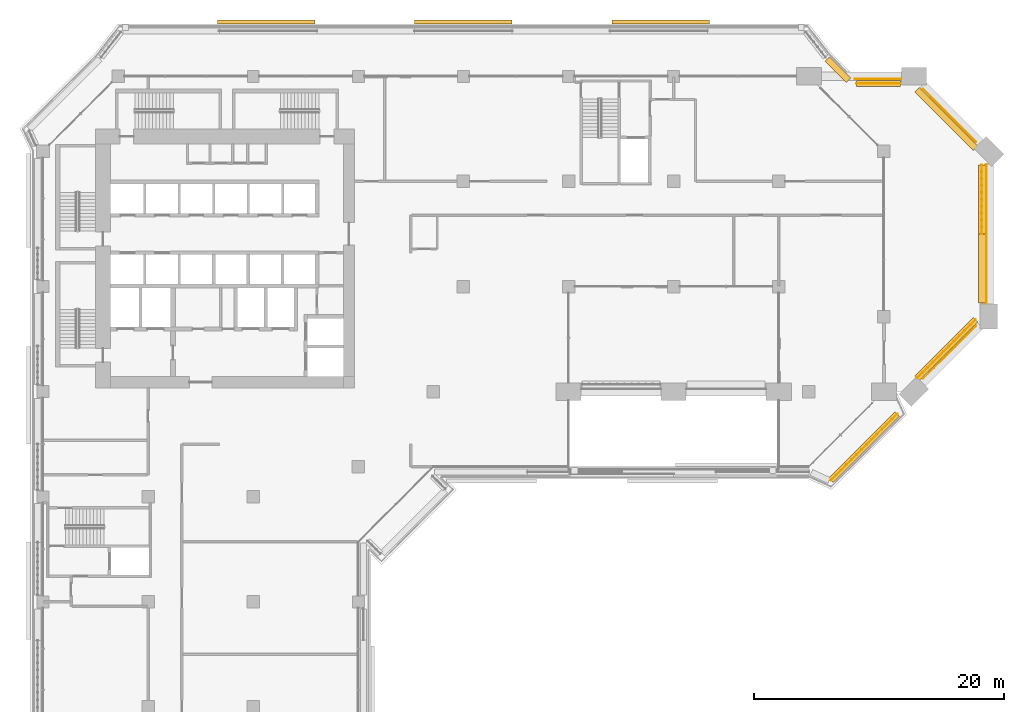
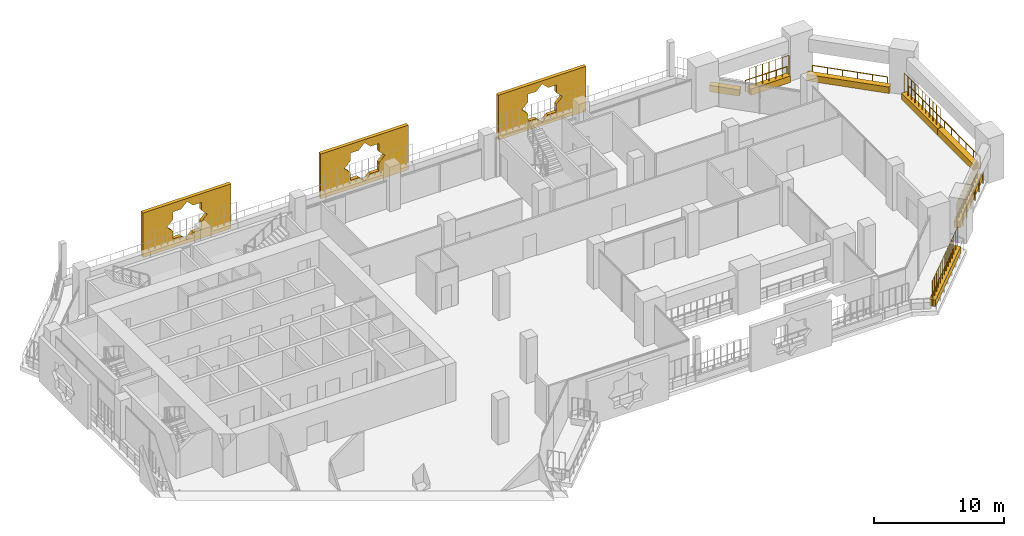
# One storey, part 23 of 23: 10 coverings, 8 railings.
"""IFC4 building model written with IfcOpenShell, lengths in metres."""

from ifc_helpers import new_model, si_unit, direction, frame, origin, origin_2d, place, context, subcontext, project, spatial, polyline, rectangle, circle, outline, extrude, material, material_profile, profile_set, type_object, element, save


model = new_model("IFC4")

# Units and contexts
model_context = context("Model", 3, precision=1e-05, world=origin(), true_north=direction((0.0, 1.0)))
body_context = subcontext(model_context, "Body", "Model", "MODEL_VIEW")
ifc_project = project(units=[si_unit("LENGTHUNIT", "METRE"), si_unit("AREAUNIT", "SQUARE_METRE"), si_unit("VOLUMEUNIT", "CUBIC_METRE"), si_unit("PLANEANGLEUNIT", "RADIAN"), si_unit("MASSUNIT", "GRAM", prefix="KILO")], contexts=[model_context])

# Site, building, storey
site_placement = place(None, origin())
site = spatial("IfcSite", under=ifc_project, at=site_placement, CompositionType="ELEMENT")
building_placement = place(site_placement, origin())
building = spatial("IfcBuilding", under=site, at=building_placement, Name="Kawkab Arch Medical Tower", CompositionType="ELEMENT")
storey_placement = place(building_placement, frame((0.0, 0.0, 158.39990234375)))
storey = spatial("IfcBuildingStorey", under=building, at=storey_placement, Name="L36", CompositionType="ELEMENT", Elevation=158.39990234375)

# Railings
ifc_material_1 = material(Name="Bronze anodised aluminium guard", Category="aluminium")
railing_type_1 = type_object("IfcRailingType", Name="Loggia and terrace guard 1100", PredefinedType="GUARDRAIL", material=ifc_material_1)
railing_1_placement = place(storey_placement, frame((70.346923828125, -24.169921875, 0.0)))
element("IfcRailing", 1, at=railing_1_placement, inside=storey, type_object=railing_type_1, Name="Guard L36.TER-01.1.2", PredefinedType="GUARDRAIL", context=body_context, shape_type="SweptSolid", body=[
    extrude(circle(Radius=0.02392578125, at=origin_2d()), frame((0.0, 0.0, 1.076171875), z_axis=(0.707127220457, 0.707086341325, 0.0), x_axis=(-0.707086341325, 0.707127220457, 0.0)), (0.0, 0.0, 1.0), 5.97216796875),
    extrude(circle(Radius=0.02099609375, at=origin_2d()), origin(), (0.0, 0.0, 1.0), 1.052001953125),
    extrude(circle(Radius=0.02099609375, at=origin_2d()), frame((0.8447265625, 0.844482421875, 0.0)), (0.0, 0.0, 1.0), 1.052001953125),
    extrude(circle(Radius=0.02099609375, at=origin_2d()), frame((1.689208984375, 1.689208984375, 0.0)), (0.0, 0.0, 1.0), 1.052001953125),
    extrude(circle(Radius=0.02099609375, at=origin_2d()), frame((2.533935546875, 2.53369140625, 0.0)), (0.0, 0.0, 1.0), 1.052001953125),
    extrude(circle(Radius=0.02099609375, at=origin_2d()), frame((3.37841796875, 3.37841796875, 0.0)), (0.0, 0.0, 1.0), 1.052001953125),
    extrude(circle(Radius=0.02099609375, at=origin_2d()), frame((4.22314453125, 4.222900390625, 0.0)), (0.0, 0.0, 1.0), 1.052001953125),
])
railing_2_placement = place(storey_placement, frame((75.39990234375, -18.169921875, 0.0)))
element("IfcRailing", 2, at=railing_2_placement, inside=storey, type_object=railing_type_1, Name="Guard L36.TER-01.1.3", PredefinedType="GUARDRAIL", context=body_context, shape_type="SweptSolid", body=[
    extrude(circle(Radius=0.02392578125, at=origin_2d()), frame((0.0, 0.0, 1.076171875), z_axis=(0.0, 1.0, 0.0), x_axis=(-1.0, 0.0, 0.0)), (0.0, 0.0, 1.0), 11.139892578125),
    extrude(circle(Radius=0.02099609375, at=origin_2d()), origin(), (0.0, 0.0, 1.0), 1.052001953125),
    extrude(circle(Radius=0.02099609375, at=origin_2d()), frame((0.0, 1.114013671875, 0.0)), (0.0, 0.0, 1.0), 1.052001953125),
    extrude(circle(Radius=0.02099609375, at=origin_2d()), frame((0.0, 2.22802734375, 0.0)), (0.0, 0.0, 1.0), 1.052001953125),
    extrude(circle(Radius=0.02099609375, at=origin_2d()), frame((0.0, 3.342041015625, 0.0)), (0.0, 0.0, 1.0), 1.052001953125),
    extrude(circle(Radius=0.02099609375, at=origin_2d()), frame((0.0, 4.4560546875, 0.0)), (0.0, 0.0, 1.0), 1.052001953125),
    extrude(circle(Radius=0.02099609375, at=origin_2d()), frame((0.0, 5.56982421875, 0.0)), (0.0, 0.0, 1.0), 1.052001953125),
    extrude(circle(Radius=0.02099609375, at=origin_2d()), frame((0.0, 6.683837890625, 0.0)), (0.0, 0.0, 1.0), 1.052001953125),
    extrude(circle(Radius=0.02099609375, at=origin_2d()), frame((0.0, 7.7978515625, 0.0)), (0.0, 0.0, 1.0), 1.052001953125),
    extrude(circle(Radius=0.02099609375, at=origin_2d()), frame((0.0, 8.911865234375, 0.0)), (0.0, 0.0, 1.0), 1.052001953125),
    extrude(circle(Radius=0.02099609375, at=origin_2d()), frame((0.0, 10.02587890625, 0.0)), (0.0, 0.0, 1.0), 1.052001953125),
    extrude(circle(Radius=0.02099609375, at=origin_2d()), frame((0.0, 11.139892578125, 0.0)), (0.0, 0.0, 1.0), 1.052001953125),
])
railing_3_placement = place(storey_placement, frame((74.570068359375, -5.2529296875, 0.0)))
element("IfcRailing", 3, at=railing_3_placement, inside=storey, type_object=railing_type_1, Name="Guard L36.TER-01.1.4", PredefinedType="GUARDRAIL", context=body_context, shape_type="SweptSolid", body=[
    extrude(circle(Radius=0.02392578125, at=origin_2d()), frame((0.0, 0.0, 1.076171875), z_axis=(-0.707127220457, 0.707086341325, 0.0), x_axis=(-0.707086341325, -0.707127220457, 0.0)), (0.0, 0.0, 1.0), 5.97216796875),
    extrude(circle(Radius=0.02099609375, at=origin_2d()), origin(), (0.0, 0.0, 1.0), 1.052001953125),
    extrude(circle(Radius=0.02099609375, at=origin_2d()), frame((-0.8447265625, 0.844482421875, 0.0)), (0.0, 0.0, 1.0), 1.052001953125),
    extrude(circle(Radius=0.02099609375, at=origin_2d()), frame((-1.689208984375, 1.689208984375, 0.0)), (0.0, 0.0, 1.0), 1.052001953125),
    extrude(circle(Radius=0.02099609375, at=origin_2d()), frame((-2.533935546875, 2.53369140625, 0.0)), (0.0, 0.0, 1.0), 1.052001953125),
    extrude(circle(Radius=0.02099609375, at=origin_2d()), frame((-3.37841796875, 3.37841796875, 0.0)), (0.0, 0.0, 1.0), 1.052001953125),
    extrude(circle(Radius=0.02099609375, at=origin_2d()), frame((-4.22314453125, 4.222900390625, 0.0)), (0.0, 0.0, 1.0), 1.052001953125),
])
railing_4_placement = place(storey_placement, frame((68.570068359375, -0.199951171875, 0.0)))
element("IfcRailing", 4, at=railing_4_placement, inside=storey, type_object=railing_type_1, Name="Guard L36.TER-01.1.5", PredefinedType="GUARDRAIL", context=body_context, shape_type="SweptSolid", body=[
    extrude(circle(Radius=0.02392578125, at=origin_2d()), frame((0.0, 0.0, 1.076171875), z_axis=(-1.0, 0.0, 0.0), x_axis=(0.0, -1.0, 0.0)), (0.0, 0.0, 1.0), 3.6640625),
    extrude(circle(Radius=0.02099609375, at=origin_2d()), origin(), (0.0, 0.0, 1.0), 1.052001953125),
    extrude(circle(Radius=0.02099609375, at=origin_2d()), frame((-0.916015625, 0.0, 0.0)), (0.0, 0.0, 1.0), 1.052001953125),
    extrude(circle(Radius=0.02099609375, at=origin_2d()), frame((-1.83203125, 0.0, 0.0)), (0.0, 0.0, 1.0), 1.052001953125),
    extrude(circle(Radius=0.02099609375, at=origin_2d()), frame((-2.748046875, 0.0, 0.0)), (0.0, 0.0, 1.0), 1.052001953125),
    extrude(circle(Radius=0.02099609375, at=origin_2d()), frame((-3.6640625, 0.0, 0.0)), (0.0, 0.0, 1.0), 1.052001953125),
])

# Coverings
ifc_material_2 = material(Name="Bronze anodised aluminium mashrabiya panel, eight-point star pattern", Category="aluminium")
ifc_material_profile_1 = material_profile(ifc_material_2, outline(polyline([(-3.89990234375, -2.10009765625), (3.89990234375, -2.10009765625), (3.89990234375, 2.10009765625), (-3.89990234375, 2.10009765625), (-3.89990234375, -2.10009765625)]), holes=[polyline([(1.800048828125, 0.0), (1.272705078125, 0.527099609375), (1.272705078125, 1.272705078125), (0.527099609375, 1.272705078125), (0.0, 1.800048828125), (-0.527099609375, 1.272705078125), (-1.272705078125, 1.272705078125), (-1.272705078125, 0.527099609375), (-1.800048828125, 0.0), (-1.272705078125, -0.527099609375), (-1.272705078125, -1.272705078125), (-0.527099609375, -1.272705078125), (0.0, -1.800048828125), (0.527099609375, -1.272705078125), (1.272705078125, -1.272705078125), (1.272705078125, -0.527099609375), (1.800048828125, 0.0)])]), Name="Mashrabiya panel 7800x4200")
ifc_profile_set_1 = profile_set([ifc_material_profile_1], Name="Bronze anodised aluminium mashrabiya panel, eight-point star pattern")
covering_type_1 = type_object("IfcCoveringType", Name="Mashrabiya panel 7800 x 4200", PredefinedType="USERDEFINED", material=ifc_profile_set_1)
for number, where, z_axis, x_axis, name in (
    (5, (17.831298828125, 4.199951171875, 1.7001953125), (0.0, 1.0, 0.0), (-1.0, 0.0, 0.0), "Mashrabiya panel L36.LOG-01-02.8"),
    (6, (33.60009765625, 4.199951171875, 1.7001953125), (0.0, 1.0, 0.0), (-1.0, 0.0, 0.0), "Mashrabiya panel L36.LOG-01-02.9"),
    (7, (49.36865234375, 4.199951171875, 1.7001953125), (0.0, 1.0, 0.0), (-1.0, 0.0, 0.0), "Mashrabiya panel L36.LOG-01-02.10"),
):
    element("IfcCovering", number, at=place(storey_placement, frame(where, z_axis=z_axis, x_axis=x_axis)), inside=storey, type_object=covering_type_1, Name=name, ObjectType="SCREEN", PredefinedType="USERDEFINED", context=body_context, shape_type="SweptSolid", body=[
        extrude(outline(polyline([(-3.89990234375, -2.10009765625), (3.89990234375, -2.10009765625), (3.89990234375, 2.10009765625), (-3.89990234375, 2.10009765625), (-3.89990234375, -2.10009765625)]), holes=[polyline([(1.800048828125, 0.0), (1.272705078125, 0.527099609375), (1.272705078125, 1.272705078125), (0.527099609375, 1.272705078125), (0.0, 1.800048828125), (-0.527099609375, 1.272705078125), (-1.272705078125, 1.272705078125), (-1.272705078125, 0.527099609375), (-1.800048828125, 0.0), (-1.272705078125, -0.527099609375), (-1.272705078125, -1.272705078125), (-0.527099609375, -1.272705078125), (0.0, -1.800048828125), (0.527099609375, -1.272705078125), (1.272705078125, -1.272705078125), (1.272705078125, -0.527099609375), (1.800048828125, 0.0)])]), origin(), (0.0, 0.0, 1.0), 0.300048828125),
    ])
ifc_material_3 = material(Name="Planting soil in a precast trough", Category="concrete")
ifc_material_profile_2 = material_profile(ifc_material_3, rectangle(XDim=0.5, YDim=0.60009765625, at=origin_2d()), Name="Trough 500x600")
ifc_profile_set_2 = profile_set([ifc_material_profile_2], Name="Planting soil in a precast trough")
covering_type_2 = type_object("IfcCoveringType", Name="Planter trough 500 x 600", PredefinedType="USERDEFINED", material=ifc_profile_set_2)
covering_1_placement = place(storey_placement, frame((69.85595703125, -24.1201171875, 0.300048828125), z_axis=(0.707328897326, 0.706884595254, 0.0), x_axis=(-0.706884595254, 0.707328897326, 0.0)))
element("IfcCovering", 8, at=covering_1_placement, inside=storey, type_object=covering_type_2, Name="Planter L36.TER-01-01.1", ObjectType="PLANTER", PredefinedType="USERDEFINED", context=body_context, shape_type="SweptSolid", body=[
    extrude(rectangle(XDim=0.5, YDim=0.60009765625, at=origin_2d()), origin(), (0.0, 0.0, 1.0), 6.593994140625),
])
covering_2_placement = place(storey_placement, frame((75.02001953125, -18.1201171875, 0.300048828125), z_axis=(0.0, 1.0, 0.0), x_axis=(-1.0, 0.0, 0.0)))
element("IfcCovering", 9, at=covering_2_placement, inside=storey, type_object=covering_type_2, Name="Planter L36.TER-01-01.2", ObjectType="PLANTER", PredefinedType="USERDEFINED", context=body_context, shape_type="SweptSolid", body=[
    extrude(rectangle(XDim=0.5, YDim=0.60009765625, at=origin_2d()), origin(), (0.0, 0.0, 1.0), 5.51806640625),
])
covering_3_placement = place(storey_placement, frame((75.02001953125, -12.60205078125, 0.300048828125), z_axis=(0.0, 1.0, 0.0), x_axis=(-1.0, 0.0, 0.0)))
element("IfcCovering", 10, at=covering_3_placement, inside=storey, type_object=covering_type_2, Name="Planter L36.TER-01-01.3", ObjectType="PLANTER", PredefinedType="USERDEFINED", context=body_context, shape_type="SweptSolid", body=[
    extrude(rectangle(XDim=0.5, YDim=0.60009765625, at=origin_2d()), origin(), (0.0, 0.0, 1.0), 5.52197265625),
])
covering_4_placement = place(storey_placement, frame((74.52001953125, -5.743896484375, 0.300048828125), z_axis=(-0.70690310808, 0.707310395645, 0.0), x_axis=(-0.707310395645, -0.70690310808, 0.0)))
element("IfcCovering", 11, at=covering_4_placement, inside=storey, type_object=covering_type_2, Name="Planter L36.TER-01-01.4", ObjectType="PLANTER", PredefinedType="USERDEFINED", context=body_context, shape_type="SweptSolid", body=[
    extrude(rectangle(XDim=0.5, YDim=0.60009765625, at=origin_2d()), origin(), (0.0, 0.0, 1.0), 6.59375),
])
covering_5_placement = place(storey_placement, frame((68.52001953125, -0.580078125, 0.300048828125), z_axis=(-1.0, 0.0, 0.0), x_axis=(0.0, -1.0, 0.0)))
element("IfcCovering", 12, at=covering_5_placement, inside=storey, type_object=covering_type_2, Name="Planter L36.TER-01-01.5", ObjectType="PLANTER", PredefinedType="USERDEFINED", context=body_context, shape_type="SweptSolid", body=[
    extrude(rectangle(XDim=0.5, YDim=0.60009765625, at=origin_2d()), origin(), (0.0, 0.0, 1.0), 3.513916015625),
])
covering_6_placement = place(storey_placement, frame((68.27294921875, -26.98291015625, 0.300048828125), z_axis=(-0.707106781187, -0.707106781187, 0.0), x_axis=(0.707106781187, -0.707106781187, 0.0)))
element("IfcCovering", 13, at=covering_6_placement, inside=storey, type_object=covering_type_2, Name="Planter L36.LOG-01-02.1", ObjectType="PLANTER", PredefinedType="USERDEFINED", context=body_context, shape_type="SweptSolid", body=[
    extrude(rectangle(XDim=0.5, YDim=0.60009765625, at=origin_2d()), origin(), (0.0, 0.0, 1.0), 7.481201171875),
])
covering_7_placement = place(storey_placement, frame((62.673095703125, 1.383056640625, 0.300048828125), z_axis=(0.70705579465, -0.707157764047, 0.0), x_axis=(0.707157764047, 0.70705579465, 0.0)))
element("IfcCovering", 14, at=covering_7_placement, inside=storey, type_object=covering_type_2, Name="Planter L36.LOG-01-02.42", ObjectType="PLANTER", PredefinedType="USERDEFINED", context=body_context, shape_type="SweptSolid", body=[
    extrude(rectangle(XDim=0.5, YDim=0.60009765625, at=origin_2d()), origin(), (0.0, 0.0, 1.0), 2.394287109375),
])

# Railings
ifc_material_4 = material(Name="Bronze anodised aluminium trellis for climbing plants", Category="aluminium")
railing_type_2 = type_object("IfcRailingType", Name="Planting trellis 2400", PredefinedType="USERDEFINED", material=ifc_material_4)
railing_5_placement = place(storey_placement, frame((69.85595703125, -24.1201171875, 0.0)))
element("IfcRailing", 15, at=railing_5_placement, inside=storey, type_object=railing_type_2, Name="Planting trellis L36.TER-01-01.1", ObjectType="TRELLIS", PredefinedType="USERDEFINED", context=body_context, shape_type="SweptSolid", body=[
    extrude(circle(Radius=0.01513671875, at=origin_2d()), frame((0.0, 0.0, 2.384765625), z_axis=(0.707328897326, 0.706884595254, 0.0), x_axis=(-0.706884595254, 0.707328897326, 0.0)), (0.0, 0.0, 1.0), 6.593994140625),
    extrude(circle(Radius=0.030029296875, at=origin_2d()), origin(), (0.0, 0.0, 1.0), 2.369873046875),
    extrude(circle(Radius=0.030029296875, at=origin_2d()), frame((0.424072265625, 0.423828125, 0.0)), (0.0, 0.0, 1.0), 2.369873046875),
    extrude(circle(Radius=0.030029296875, at=origin_2d()), frame((0.847900390625, 0.847412109375, 0.0)), (0.0, 0.0, 1.0), 2.369873046875),
    extrude(circle(Radius=0.030029296875, at=origin_2d()), frame((1.27197265625, 1.271240234375, 0.0)), (0.0, 0.0, 1.0), 2.369873046875),
    extrude(circle(Radius=0.030029296875, at=origin_2d()), frame((1.696044921875, 1.695068359375, 0.0)), (0.0, 0.0, 1.0), 2.369873046875),
    extrude(circle(Radius=0.030029296875, at=origin_2d()), frame((2.1201171875, 2.11865234375, 0.0)), (0.0, 0.0, 1.0), 2.369873046875),
    extrude(circle(Radius=0.030029296875, at=origin_2d()), frame((2.5439453125, 2.54248046875, 0.0)), (0.0, 0.0, 1.0), 2.369873046875),
    extrude(circle(Radius=0.030029296875, at=origin_2d()), frame((2.968017578125, 2.966064453125, 0.0)), (0.0, 0.0, 1.0), 2.369873046875),
    extrude(circle(Radius=0.030029296875, at=origin_2d()), frame((3.39208984375, 3.389892578125, 0.0)), (0.0, 0.0, 1.0), 2.369873046875),
    extrude(circle(Radius=0.030029296875, at=origin_2d()), frame((3.816162109375, 3.813720703125, 0.0)), (0.0, 0.0, 1.0), 2.369873046875),
    extrude(circle(Radius=0.030029296875, at=origin_2d()), frame((4.239990234375, 4.2373046875, 0.0)), (0.0, 0.0, 1.0), 2.369873046875),
    extrude(circle(Radius=0.030029296875, at=origin_2d()), frame((4.6640625, 4.6611328125, 0.0)), (0.0, 0.0, 1.0), 2.369873046875),
])
railing_6_placement = place(storey_placement, frame((75.02001953125, -12.60205078125, 0.0)))
element("IfcRailing", 16, at=railing_6_placement, inside=storey, type_object=railing_type_2, Name="Planting trellis L36.TER-01-01.3", ObjectType="TRELLIS", PredefinedType="USERDEFINED", context=body_context, shape_type="SweptSolid", body=[
    extrude(circle(Radius=0.01513671875, at=origin_2d()), frame((0.0, 0.0, 2.384765625), z_axis=(0.0, 1.0, 0.0), x_axis=(-1.0, 0.0, 0.0)), (0.0, 0.0, 1.0), 5.52197265625),
    extrude(circle(Radius=0.030029296875, at=origin_2d()), origin(), (0.0, 0.0, 1.0), 2.369873046875),
    extrude(circle(Radius=0.030029296875, at=origin_2d()), frame((0.0, 0.55224609375, 0.0)), (0.0, 0.0, 1.0), 2.369873046875),
    extrude(circle(Radius=0.030029296875, at=origin_2d()), frame((0.0, 1.1044921875, 0.0)), (0.0, 0.0, 1.0), 2.369873046875),
    extrude(circle(Radius=0.030029296875, at=origin_2d()), frame((0.0, 1.656494140625, 0.0)), (0.0, 0.0, 1.0), 2.369873046875),
    extrude(circle(Radius=0.030029296875, at=origin_2d()), frame((0.0, 2.208740234375, 0.0)), (0.0, 0.0, 1.0), 2.369873046875),
    extrude(circle(Radius=0.030029296875, at=origin_2d()), frame((0.0, 2.760986328125, 0.0)), (0.0, 0.0, 1.0), 2.369873046875),
    extrude(circle(Radius=0.030029296875, at=origin_2d()), frame((0.0, 3.313232421875, 0.0)), (0.0, 0.0, 1.0), 2.369873046875),
    extrude(circle(Radius=0.030029296875, at=origin_2d()), frame((0.0, 3.865478515625, 0.0)), (0.0, 0.0, 1.0), 2.369873046875),
    extrude(circle(Radius=0.030029296875, at=origin_2d()), frame((0.0, 4.41748046875, 0.0)), (0.0, 0.0, 1.0), 2.369873046875),
    extrude(circle(Radius=0.030029296875, at=origin_2d()), frame((0.0, 4.9697265625, 0.0)), (0.0, 0.0, 1.0), 2.369873046875),
    extrude(circle(Radius=0.030029296875, at=origin_2d()), frame((0.0, 5.52197265625, 0.0)), (0.0, 0.0, 1.0), 2.369873046875),
])
railing_7_placement = place(storey_placement, frame((68.52001953125, -0.580078125, 0.0)))
element("IfcRailing", 17, at=railing_7_placement, inside=storey, type_object=railing_type_2, Name="Planting trellis L36.TER-01-01.5", ObjectType="TRELLIS", PredefinedType="USERDEFINED", context=body_context, shape_type="SweptSolid", body=[
    extrude(circle(Radius=0.01513671875, at=origin_2d()), frame((0.0, 0.0, 2.384765625), z_axis=(-1.0, 0.0, 0.0), x_axis=(0.0, -1.0, 0.0)), (0.0, 0.0, 1.0), 3.513916015625),
    extrude(circle(Radius=0.030029296875, at=origin_2d()), origin(), (0.0, 0.0, 1.0), 2.369873046875),
    extrude(circle(Radius=0.030029296875, at=origin_2d()), frame((-0.585693359375, 0.0, 0.0)), (0.0, 0.0, 1.0), 2.369873046875),
    extrude(circle(Radius=0.030029296875, at=origin_2d()), frame((-1.17138671875, 0.0, 0.0)), (0.0, 0.0, 1.0), 2.369873046875),
    extrude(circle(Radius=0.030029296875, at=origin_2d()), frame((-1.7568359375, 0.0, 0.0)), (0.0, 0.0, 1.0), 2.369873046875),
    extrude(circle(Radius=0.030029296875, at=origin_2d()), frame((-2.342529296875, 0.0, 0.0)), (0.0, 0.0, 1.0), 2.369873046875),
    extrude(circle(Radius=0.030029296875, at=origin_2d()), frame((-2.92822265625, 0.0, 0.0)), (0.0, 0.0, 1.0), 2.369873046875),
    extrude(circle(Radius=0.030029296875, at=origin_2d()), frame((-3.513916015625, 0.0, 0.0)), (0.0, 0.0, 1.0), 2.369873046875),
])
railing_8_placement = place(storey_placement, frame((68.27294921875, -26.98291015625, 0.0)))
element("IfcRailing", 18, at=railing_8_placement, inside=storey, type_object=railing_type_2, Name="Planting trellis L36.LOG-01-02.1", ObjectType="TRELLIS", PredefinedType="USERDEFINED", context=body_context, shape_type="SweptSolid", body=[
    extrude(circle(Radius=0.01513671875, at=origin_2d()), frame((0.0, 0.0, 2.384765625), z_axis=(-0.707106781187, -0.707106781187, 0.0), x_axis=(0.707106781187, -0.707106781187, 0.0)), (0.0, 0.0, 1.0), 7.481201171875),
    extrude(circle(Radius=0.030029296875, at=origin_2d()), origin(), (0.0, 0.0, 1.0), 2.369873046875),
    extrude(circle(Radius=0.030029296875, at=origin_2d()), frame((-0.406982421875, -0.406982421875, 0.0)), (0.0, 0.0, 1.0), 2.369873046875),
    extrude(circle(Radius=0.030029296875, at=origin_2d()), frame((-0.81396484375, -0.81396484375, 0.0)), (0.0, 0.0, 1.0), 2.369873046875),
    extrude(circle(Radius=0.030029296875, at=origin_2d()), frame((-1.220703125, -1.220703125, 0.0)), (0.0, 0.0, 1.0), 2.369873046875),
    extrude(circle(Radius=0.030029296875, at=origin_2d()), frame((-1.627685546875, -1.627685546875, 0.0)), (0.0, 0.0, 1.0), 2.369873046875),
    extrude(circle(Radius=0.030029296875, at=origin_2d()), frame((-2.03466796875, -2.03466796875, 0.0)), (0.0, 0.0, 1.0), 2.369873046875),
    extrude(circle(Radius=0.030029296875, at=origin_2d()), frame((-2.441650390625, -2.441650390625, 0.0)), (0.0, 0.0, 1.0), 2.369873046875),
    extrude(circle(Radius=0.030029296875, at=origin_2d()), frame((-2.848388671875, -2.848388671875, 0.0)), (0.0, 0.0, 1.0), 2.369873046875),
    extrude(circle(Radius=0.030029296875, at=origin_2d()), frame((-3.25537109375, -3.25537109375, 0.0)), (0.0, 0.0, 1.0), 2.369873046875),
    extrude(circle(Radius=0.030029296875, at=origin_2d()), frame((-3.662353515625, -3.662353515625, 0.0)), (0.0, 0.0, 1.0), 2.369873046875),
    extrude(circle(Radius=0.030029296875, at=origin_2d()), frame((-4.0693359375, -4.0693359375, 0.0)), (0.0, 0.0, 1.0), 2.369873046875),
    extrude(circle(Radius=0.030029296875, at=origin_2d()), frame((-4.47607421875, -4.47607421875, 0.0)), (0.0, 0.0, 1.0), 2.369873046875),
    extrude(circle(Radius=0.030029296875, at=origin_2d()), frame((-4.883056640625, -4.883056640625, 0.0)), (0.0, 0.0, 1.0), 2.369873046875),
    extrude(circle(Radius=0.030029296875, at=origin_2d()), frame((-5.2900390625, -5.2900390625, 0.0)), (0.0, 0.0, 1.0), 2.369873046875),
])

save(model, "model.ifc")
